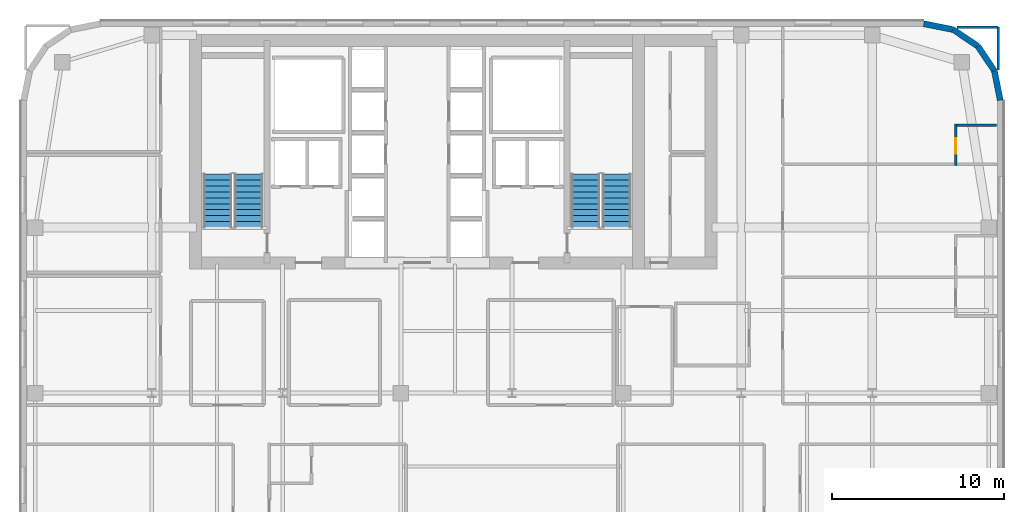
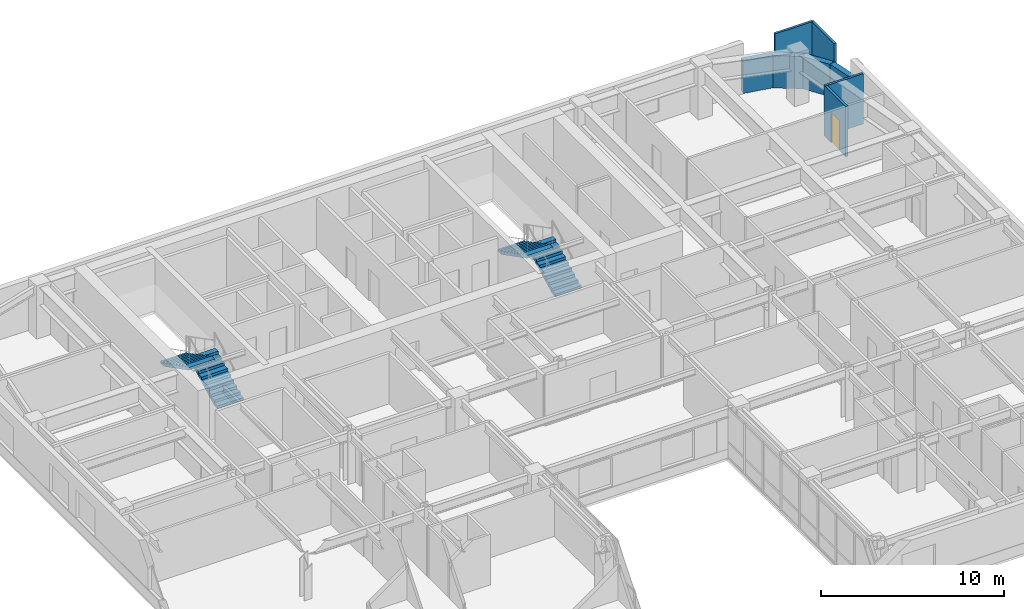
# One storey, part 19 of 24: 8 walls, 4 stair flights, 1 door, 1 opening, 2 elements without a shape of their own.
"""IFC4 building model written with IfcOpenShell, lengths in metres."""

from ifc_helpers import new_model, si_unit, direction, frame, frame_2d, origin, place, context, subcontext, project, spatial, polyline, rectangle, outline, extrude, source, transform, mapped, material, layer, layer_set, type_object, type_shapes, element, fill, aggregate, save


model = new_model("IFC4")

# Units and contexts
model_context = context("Model", 3, precision=1e-05, world=origin(), true_north=direction((0.0, 1.0)))
body_context = subcontext(model_context, "Body", "Model", "MODEL_VIEW")
ifc_project = project(units=[si_unit("LENGTHUNIT", "METRE"), si_unit("AREAUNIT", "SQUARE_METRE"), si_unit("VOLUMEUNIT", "CUBIC_METRE"), si_unit("PLANEANGLEUNIT", "RADIAN"), si_unit("MASSUNIT", "GRAM", prefix="KILO")], contexts=[model_context])

# Site, building, storey
site_placement = place(None, origin())
site = spatial("IfcSite", under=ifc_project, at=site_placement, CompositionType="ELEMENT")
building_placement = place(site_placement, origin())
building = spatial("IfcBuilding", under=site, at=building_placement, Name="Tolvann Quenvar Hotel", CompositionType="ELEMENT")
storey_placement = place(building_placement, frame((0.0, 0.0, 139.949951171875)))
storey = spatial("IfcBuildingStorey", under=building, at=storey_placement, Name="L36", CompositionType="ELEMENT", Elevation=139.949951171875)

# Walls
ifc_material_1 = material(Name="Kiln-fired red and buff architectural clay brickwork and terracotta masonry", Category="masonry")
ifc_layer_1 = layer(ifc_material_1, 0.35009765625)
ifc_layer_set_1 = layer_set([ifc_layer_1], Name="Kiln-fired red and buff architectural clay brickwork and terracotta masonry")
wall_type_1 = type_object("IfcWallType", Name="WALL_EXT_BRICK_350", PredefinedType="SOLIDWALL", material=ifc_layer_set_1)
wall_1_placement = place(storey_placement, frame((56.824951171875, 41.3828125, 0.0), z_axis=(0.0, 0.0, 1.0), x_axis=(-0.195011420161, 0.980800971659, 0.0)))
element("IfcWall", 1, at=wall_1_placement, inside=storey, type_object=wall_type_1, Name="Exterior Chicago Brick Wall L36-E14", PredefinedType="SOLIDWALL", context=body_context, shape_type="SweptSolid", body=[
    extrude(rectangle(XDim=1.74267578125, YDim=0.35009765625, at=frame_2d((0.871337890625, 0.0))), origin(), (0.0, 0.0, 1.0), 2.16015625),
])
for number, where, z_axis, x_axis, name in (
    (2, (56.485107421875, 43.092041015625, 0.0), (0.0, 0.0, 1.0), (-0.55554893791, 0.831483840845, 0.0), "Exterior Chicago Brick Wall L36-E15"),
    (3, (55.526611328125, 44.526611328125, 0.0), (0.0, 0.0, 1.0), (-0.831483840845, 0.55554893791, 0.0), "Exterior Chicago Brick Wall L36-E16"),
):
    element("IfcWall", number, at=place(storey_placement, frame(where, z_axis=z_axis, x_axis=x_axis)), inside=storey, type_object=wall_type_1, Name=name, PredefinedType="SOLIDWALL", context=body_context, shape_type="SweptSolid", body=[
        extrude(rectangle(XDim=1.725341796875, YDim=0.35009765625, at=frame_2d((0.86279296875, 0.0))), origin(), (0.0, 0.0, 1.0), 2.16015625),
    ])
wall_2_placement = place(storey_placement, frame((54.092041015625, 45.485107421875, 0.0), z_axis=(0.0, 0.0, 1.0), x_axis=(-0.980800971659, 0.195011420161, 0.0)))
element("IfcWall", 4, at=wall_2_placement, inside=storey, type_object=wall_type_1, Name="Exterior Chicago Brick Wall L36-E17", PredefinedType="SOLIDWALL", context=body_context, shape_type="SweptSolid", body=[
    extrude(rectangle(XDim=1.74267578125, YDim=0.35009765625, at=frame_2d((0.871337890625, 0.0))), origin(), (0.0, 0.0, 1.0), 2.16015625),
])

# Wall, opening, door
ifc_material_2 = material(Name="Acoustic twin-stud fire-rated gypsum plasterboard partition")
ifc_layer_2 = layer(ifc_material_2, 0.14990234375)
ifc_layer_set_2 = layer_set([ifc_layer_2], Name="Acoustic twin-stud fire-rated gypsum plasterboard partition")
wall_type_2 = type_object("IfcWallType", Name="WALL_PART_SUITE_150", PredefinedType="PARTITIONING", material=ifc_layer_set_2)
wall_3_placement = place(storey_placement, frame((54.25, 37.610107421875, 0.0), z_axis=(0.0, 0.0, 1.0), x_axis=(0.0, 1.0, 0.0)))
wall_3 = element("IfcWall", 5, at=wall_3_placement, inside=storey, type_object=wall_type_2, Name="Interior Partition PT-SPC-L36-ENS-NE03-ENT", PredefinedType="PARTITIONING", context=body_context, shape_type="SweptSolid", body=[
    extrude(rectangle(XDim=2.389892578125, YDim=0.14990234375, at=frame_2d((1.19482421875, 0.0))), origin(), (0.0, 0.0, 1.0), 3.3701171875),
])
opening_placement = place(wall_3_placement, frame((0.6650390625, 0.0, 0.0)))
opening = element("IfcOpeningElement", 6, at=opening_placement, cuts=wall_3, Name="Opening WD-01", PredefinedType="OPENING", context=body_context, shape_type="SweptSolid", body=[
    extrude(rectangle(XDim=0.919921875, YDim=2.010009765625, at=frame_2d((0.4599609375, 1.0048828125))), frame((0.0, 0.0849609375, 0.0), z_axis=(0.0, -1.0, 0.0), x_axis=(1.0, 0.0, 0.0)), (0.0, 0.0, 1.0), 0.169921875),
])
ifc_material_3 = material(Name="Solid-core American oak acoustic fire door leaf in steel frame", Category="steel")
door_type = type_object("IfcDoorType", Name="DOOR_WC_920", OperationType="NOTDEFINED", PredefinedType="DOOR", material=ifc_material_3)
shared_shape = source(origin(), body_context, "Body", "SweptSolid", [
    extrude(rectangle(XDim=0.919921875, YDim=2.010009765625, at=frame_2d((0.4599609375, 1.0048828125))), frame((0.0, 0.02490234375, 0.0), z_axis=(0.0, -1.0, 0.0), x_axis=(1.0, 0.0, 0.0)), (0.0, 0.0, 1.0), 0.050048828125),
])
type_shapes(door_type, [shared_shape])
door_placement = place(opening_placement, origin())
door = element("IfcDoor", 7, at=door_placement, inside=storey, type_object=door_type, Name="Interior Door DOOR-SPC-L36-ENS-NE03", OperationType="SINGLE_SWING_RIGHT", OverallHeight=2.010009765625, OverallWidth=0.919921875, PredefinedType="DOOR", context=body_context, shape_type="MappedRepresentation", body=[
    mapped(shared_shape, transform((0.0, 0.0, 0.0), x_axis=(1.0, 0.0, 0.0), y_axis=(0.0, 1.0, 0.0), z_axis=(0.0, 0.0, 1.0), scale=1.0)),
])
fill(opening, door)

# Walls
wall_4_placement = place(storey_placement, frame((54.179931640625, 39.929931640625, 0.0), z_axis=(0.0, 0.0, 1.0), x_axis=(1.0, 0.0, 0.0)))
element("IfcWall", 8, at=wall_4_placement, inside=storey, type_object=wall_type_2, Name="Interior Partition PT-SPC-L36-ENS-NE03-N", PredefinedType="PARTITIONING", context=body_context, shape_type="SweptSolid", body=[
    extrude(rectangle(XDim=2.4150390625, YDim=0.14990234375, at=frame_2d((1.20751953125, 0.0))), origin(), (0.0, 0.0, 1.0), 3.3701171875),
])
wall_5_placement = place(storey_placement, frame((56.699951171875, 43.135009765625, 0.0), z_axis=(0.0, 0.0, 1.0), x_axis=(0.0, 1.0, 0.0)))
element("IfcWall", 9, at=wall_5_placement, inside=storey, type_object=wall_type_2, Name="Interior Partition PT-SPC-L36-RM-NE03-E4", PredefinedType="PARTITIONING", context=body_context, shape_type="SweptSolid", body=[
    extrude(rectangle(XDim=2.485107421875, YDim=0.14990234375, at=frame_2d((1.24267578125, 0.0))), origin(), (0.0, 0.0, 1.0), 3.3701171875),
])
wall_6_placement = place(storey_placement, frame((54.303955078125, 45.6201171875, 0.0), z_axis=(0.0, 0.0, 1.0), x_axis=(1.0, 0.0, 0.0)))
element("IfcWall", 10, at=wall_6_placement, inside=storey, type_object=wall_type_2, Name="Interior Partition PT-SPC-L36-RM-NE03-E5", PredefinedType="PARTITIONING", context=body_context, shape_type="SweptSolid", body=[
    extrude(rectangle(XDim=2.39599609375, YDim=0.14990234375, at=frame_2d((1.197998046875, 0.0))), origin(), (0.0, 0.0, 1.0), 3.3701171875),
])

# Stair, stair flights
ifc_material_4 = material(Name="Concrete N40 (40 MPa)", Category="concrete")
stair_type = type_object("IfcStairType", Name="STAIR", PredefinedType="HALF_TURN_STAIR", material=ifc_material_4)
stair_1_placement = place(storey_placement, origin())
stair_1 = element("IfcStair", 11, at=stair_1_placement, inside=storey, type_object=stair_type, Name="L36 ST-C1", PredefinedType="HALF_TURN_STAIR")
stair_flight_type = type_object("IfcStairFlightType", Name="STAIR_FLIGHT", PredefinedType="STRAIGHT", material=ifc_material_4)
stair_flight_1_placement = place(storey_placement, frame((13.22509765625, 34.0, 0.0), z_axis=(0.0, 0.0, 1.0), x_axis=(0.0, 1.0, 0.0)))
stair_flight_1 = element("IfcStairFlight", 12, at=stair_flight_1_placement, type_object=stair_flight_type, Name="ST-C1 flight 1", NumberOfRisers=10, NumberOfTreads=9, PredefinedType="STRAIGHT", RiserHeight=0.1775, TreadLength=0.345, context=body_context, shape_type="SweptSolid", body=[
    extrude(outline(polyline([(0.0, 0.0), (0.0, 0.177490234375), (0.344970703125, 0.177490234375), (0.344970703125, 0.35498046875), (0.68994140625, 0.35498046875), (0.68994140625, 0.532470703125), (1.034912109375, 0.532470703125), (1.034912109375, 0.7099609375), (1.3798828125, 0.7099609375), (1.3798828125, 0.887451171875), (1.72509765625, 0.887451171875), (1.72509765625, 1.06494140625), (2.070068359375, 1.06494140625), (2.070068359375, 1.242431640625), (2.4150390625, 1.242431640625), (2.4150390625, 1.419921875), (2.760009765625, 1.419921875), (2.760009765625, 1.597412109375), (3.10498046875, 1.597412109375), (3.10498046875, 1.77490234375), (3.10498046875, 1.428955078125), (0.32763671875, 0.0), (0.0, 0.0)])), frame((0.0, 0.824951171875, 0.0), z_axis=(0.0, -1.0, 0.0), x_axis=(1.0, 0.0, 0.0)), (0.0, 0.0, 1.0), 1.64990234375),
])
stair_flight_2_placement = place(storey_placement, frame((11.425048828125, 37.10498046875, 1.775146484375), z_axis=(0.0, 0.0, 1.0), x_axis=(0.0, -1.0, 0.0)))
stair_flight_2 = element("IfcStairFlight", 13, at=stair_flight_2_placement, type_object=stair_flight_type, Name="ST-C1 flight 2", NumberOfRisers=10, NumberOfTreads=9, PredefinedType="STRAIGHT", RiserHeight=0.1775, TreadLength=0.345, context=body_context, shape_type="SweptSolid", body=[
    extrude(outline(polyline([(0.0, 0.0), (0.0, 0.177490234375), (0.344970703125, 0.177490234375), (0.344970703125, 0.35498046875), (0.68994140625, 0.35498046875), (0.68994140625, 0.532470703125), (1.034912109375, 0.532470703125), (1.034912109375, 0.7099609375), (1.3798828125, 0.7099609375), (1.3798828125, 0.887451171875), (1.72509765625, 0.887451171875), (1.72509765625, 1.06494140625), (2.070068359375, 1.06494140625), (2.070068359375, 1.242431640625), (2.4150390625, 1.242431640625), (2.4150390625, 1.419921875), (2.760009765625, 1.419921875), (2.760009765625, 1.597412109375), (3.10498046875, 1.597412109375), (3.10498046875, 1.77490234375), (3.10498046875, 1.428955078125), (0.32763671875, 0.0), (0.0, 0.0)])), frame((0.0, 0.824951171875, 0.0), z_axis=(0.0, -1.0, 0.0), x_axis=(1.0, 0.0, 0.0)), (0.0, 0.0, 1.0), 1.64990234375),
])
aggregate(stair_1, [stair_flight_1, stair_flight_2])

stair_2_placement = place(storey_placement, origin())
stair_2 = element("IfcStair", 14, at=stair_2_placement, inside=storey, type_object=stair_type, Name="L36 ST-C2", PredefinedType="HALF_TURN_STAIR")
stair_flight_3_placement = place(storey_placement, frame((34.574951171875, 34.0, 0.0), z_axis=(0.0, 0.0, 1.0), x_axis=(0.0, 1.0, 0.0)))
stair_flight_3 = element("IfcStairFlight", 15, at=stair_flight_3_placement, type_object=stair_flight_type, Name="ST-C2 flight 1", NumberOfRisers=10, NumberOfTreads=9, PredefinedType="STRAIGHT", RiserHeight=0.1775, TreadLength=0.345, context=body_context, shape_type="SweptSolid", body=[
    extrude(outline(polyline([(0.0, 0.0), (0.0, 0.177490234375), (0.344970703125, 0.177490234375), (0.344970703125, 0.35498046875), (0.68994140625, 0.35498046875), (0.68994140625, 0.532470703125), (1.034912109375, 0.532470703125), (1.034912109375, 0.7099609375), (1.3798828125, 0.7099609375), (1.3798828125, 0.887451171875), (1.72509765625, 0.887451171875), (1.72509765625, 1.06494140625), (2.070068359375, 1.06494140625), (2.070068359375, 1.242431640625), (2.4150390625, 1.242431640625), (2.4150390625, 1.419921875), (2.760009765625, 1.419921875), (2.760009765625, 1.597412109375), (3.10498046875, 1.597412109375), (3.10498046875, 1.77490234375), (3.10498046875, 1.428955078125), (0.32763671875, 0.0), (0.0, 0.0)])), frame((0.0, 0.824951171875, 0.0), z_axis=(0.0, -1.0, 0.0), x_axis=(1.0, 0.0, 0.0)), (0.0, 0.0, 1.0), 1.64990234375),
])
stair_flight_4_placement = place(storey_placement, frame((32.77490234375, 37.10498046875, 1.775146484375), z_axis=(0.0, 0.0, 1.0), x_axis=(0.0, -1.0, 0.0)))
stair_flight_4 = element("IfcStairFlight", 16, at=stair_flight_4_placement, type_object=stair_flight_type, Name="ST-C2 flight 2", NumberOfRisers=10, NumberOfTreads=9, PredefinedType="STRAIGHT", RiserHeight=0.1775, TreadLength=0.345, context=body_context, shape_type="SweptSolid", body=[
    extrude(outline(polyline([(0.0, 0.0), (0.0, 0.177490234375), (0.344970703125, 0.177490234375), (0.344970703125, 0.35498046875), (0.68994140625, 0.35498046875), (0.68994140625, 0.532470703125), (1.034912109375, 0.532470703125), (1.034912109375, 0.7099609375), (1.3798828125, 0.7099609375), (1.3798828125, 0.887451171875), (1.72509765625, 0.887451171875), (1.72509765625, 1.06494140625), (2.070068359375, 1.06494140625), (2.070068359375, 1.242431640625), (2.4150390625, 1.242431640625), (2.4150390625, 1.419921875), (2.760009765625, 1.419921875), (2.760009765625, 1.597412109375), (3.10498046875, 1.597412109375), (3.10498046875, 1.77490234375), (3.10498046875, 1.428955078125), (0.32763671875, 0.0), (0.0, 0.0)])), frame((0.0, 0.824951171875, 0.0), z_axis=(0.0, -1.0, 0.0), x_axis=(1.0, 0.0, 0.0)), (0.0, 0.0, 1.0), 1.64990234375),
])
aggregate(stair_2, [stair_flight_3, stair_flight_4])

save(model, "model.ifc")
